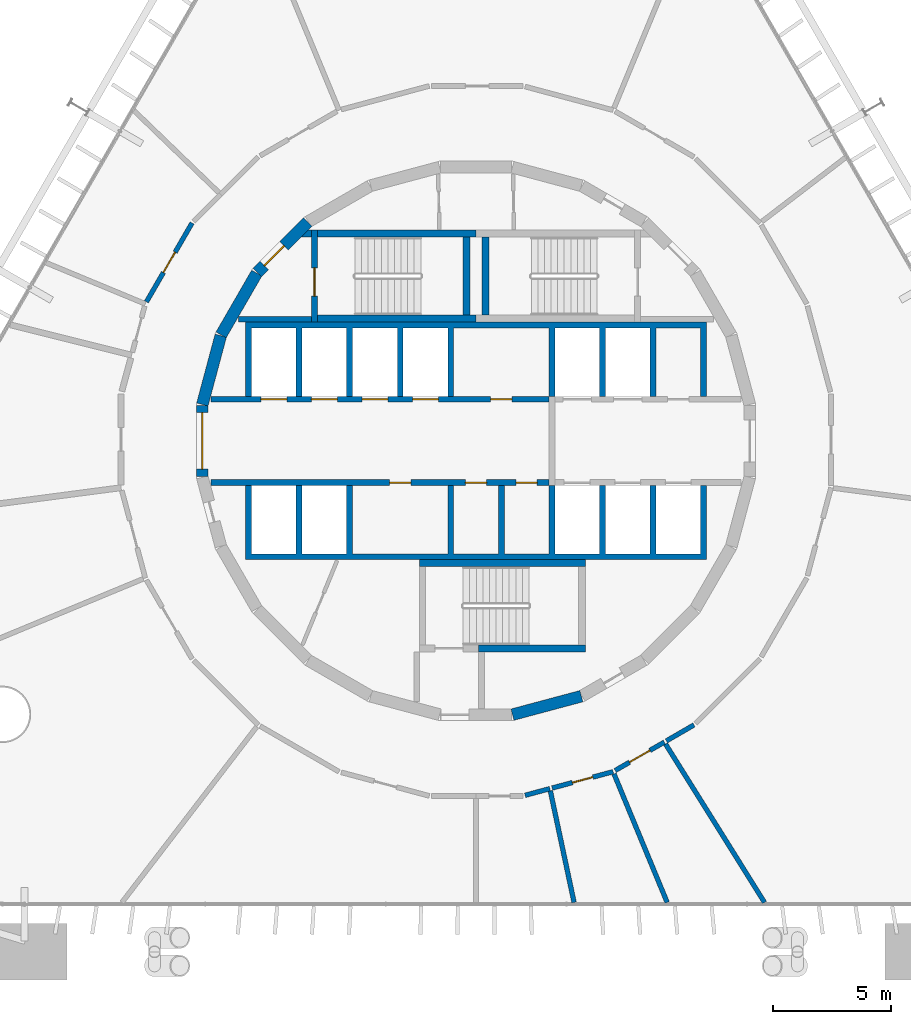
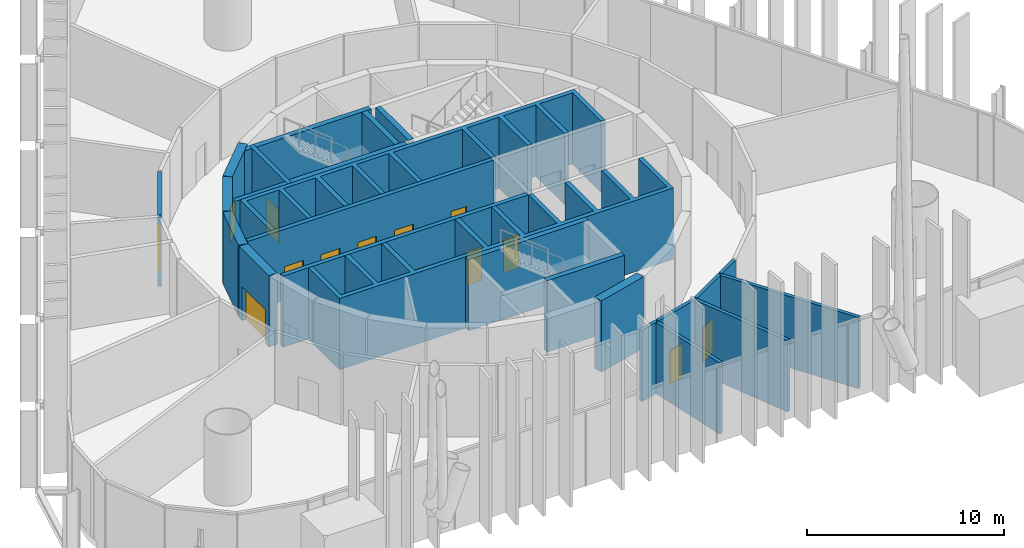
# One storey, part 15 of 18: 26 walls, 14 doors, 14 openings.
"""IFC4 building model written with IfcOpenShell, lengths in metres."""

import ifcopenshell
import ifcopenshell.guid

model = None  # the IFC model being written
_history = None  # IfcOwnerHistory: only IFC2X3 demands one
_inside = {}  # id of a spatial element -> (the spatial element, [elements in it])
_under = {}  # id of a project, library or spatial element -> (it, [spatial elements below it])
_declared = {}  # id of a project -> (the project, [libraries it declares])
_typed = {}  # id of a type object -> (the type object, [elements of that type])
_made_of = {}  # id of a material, layer set ... -> (it, [elements and type objects made of it])


def new_model(schema):
    """Start an empty IFC model of exactly this schema.

    Asked for "IFC4X3", IfcOpenShell would pick the latest addendum, in which some entities
    have other attributes; the version numbers below select the first issue.
    IFC2X3 requires an IfcOwnerHistory on every rooted entity: one is made here for all.
    """
    global model, _history
    if schema == "IFC4X3":
        model = ifcopenshell.file(schema_version=(4, 3, 0, 0))
    else:
        model = ifcopenshell.file(schema=schema)
    _inside.clear()
    _under.clear()
    _declared.clear()
    _typed.clear()
    _made_of.clear()
    _history = None
    if model.schema == "IFC2X3":
        org = make("IfcOrganization", Name="unknown")
        user = make(
            "IfcPersonAndOrganization",
            ThePerson=make("IfcPerson", FamilyName="unknown"),
            TheOrganization=org,
        )
        app = make(
            "IfcApplication",
            ApplicationDeveloper=org,
            Version="unknown",
            ApplicationFullName="unknown",
            ApplicationIdentifier="unknown",
        )
        _history = make(
            "IfcOwnerHistory",
            OwningUser=user,
            OwningApplication=app,
            ChangeAction="ADDED",
            CreationDate=0,
        )
    return model


def make(cls, **values):
    """One entity of the class cls with the attributes given. An attribute that is None is left unset."""
    return model.create_entity(
        cls, **{name: value for name, value in values.items() if value is not None}
    )


def rooted(cls, **values):
    """An entity with a GlobalId (a new one), such as an element, a storey or a relation."""
    return make(cls, GlobalId=ifcopenshell.guid.new(), OwnerHistory=_history, **values)


def si_unit(unit_type, name, prefix=None):
    """IfcSIUnit, for example si_unit("LENGTHUNIT", "METRE", prefix="MILLI")."""
    return make("IfcSIUnit", UnitType=unit_type, Prefix=prefix, Name=name)


def assignment(units):
    """IfcUnitAssignment: the units of a project."""
    return None if units is None else make("IfcUnitAssignment", Units=units)


def point(xyz):
    """IfcCartesianPoint."""
    return None if xyz is None else make("IfcCartesianPoint", Coordinates=xyz)


def direction(xyz):
    """IfcDirection."""
    return None if xyz is None else make("IfcDirection", DirectionRatios=xyz)


def frame(location, z_axis=None, x_axis=None):
    """IfcAxis2Placement3D, a coordinate frame: its origin and axes. An axis left out is left unset."""
    return make(
        "IfcAxis2Placement3D",
        Location=point(location),
        Axis=direction(z_axis),
        RefDirection=direction(x_axis),
    )


def frame_2d(location, x_axis=None):
    """IfcAxis2Placement2D, a coordinate frame in the plane: its origin and x axis."""
    return make(
        "IfcAxis2Placement2D", Location=point(location), RefDirection=direction(x_axis)
    )


def origin():
    """The frame at (0, 0, 0) with its axes left unset."""
    return frame((0.0, 0.0, 0.0))


def place(relative_to, where):
    """IfcLocalPlacement: puts the frame where relative to a parent placement (None: the world)."""
    return make(
        "IfcLocalPlacement", PlacementRelTo=relative_to, RelativePlacement=where
    )


def context(
    kind, dimensions, precision=None, world=None, true_north=None, identifier=None
):
    """IfcGeometricRepresentationContext, for example the 3D "Model" context."""
    return make(
        "IfcGeometricRepresentationContext",
        ContextIdentifier=identifier,
        ContextType=kind,
        CoordinateSpaceDimension=dimensions,
        Precision=precision,
        WorldCoordinateSystem=world,
        TrueNorth=true_north,
    )


def subcontext(parent, identifier, kind, view, scale=None):
    """IfcGeometricRepresentationSubContext, for example "Body" below "Model"."""
    return make(
        "IfcGeometricRepresentationSubContext",
        ContextIdentifier=identifier,
        ContextType=kind,
        ParentContext=parent,
        TargetScale=scale,
        TargetView=view,
    )


def project(units=None, contexts=None):
    """IfcProject with its units and contexts."""
    return rooted(
        "IfcProject",
        Name="project",
        RepresentationContexts=contexts,
        UnitsInContext=assignment(units),
    )


def spatial(cls, under=None, at=None, **own):
    """A site, building, storey or space (cls), placed at a placement, below another one or the project."""
    s = rooted(cls, ObjectPlacement=at, **own)
    if under is not None:
        _under.setdefault(under.id(), (under, []))[1].append(s)
    return s


def polyline(points):
    """IfcPolyline through the points."""
    return make("IfcPolyline", Points=[point(p) for p in points])


def profile(cls, at=None, kind="AREA", **sizes):
    """A parametric profile (cls). Its sizes go by their IFC names, for example OverallWidth=200.0."""
    return make(cls, ProfileType=kind, Position=at, **sizes)


def rectangle(**sizes):
    """IfcRectangleProfileDef."""
    return profile("IfcRectangleProfileDef", **sizes)


def outline(outer, holes=None, kind="AREA"):
    """IfcArbitraryClosedProfileDef: a profile drawn as a closed curve; with holes, ...WithVoids."""
    if holes is None:
        return make("IfcArbitraryClosedProfileDef", ProfileType=kind, OuterCurve=outer)
    return make(
        "IfcArbitraryProfileDefWithVoids",
        ProfileType=kind,
        OuterCurve=outer,
        InnerCurves=holes,
    )


def extrude(swept, where, along, depth):
    """IfcExtrudedAreaSolid: the profile swept, set in the frame where, extruded along a direction by depth."""
    return make(
        "IfcExtrudedAreaSolid",
        SweptArea=swept,
        Position=where,
        ExtrudedDirection=direction(along),
        Depth=depth,
    )


def shape(context_of_items, identifier, shape_type, items):
    """IfcShapeRepresentation: the items that make up one representation, for example the "Body"."""
    return make(
        "IfcShapeRepresentation",
        ContextOfItems=context_of_items,
        RepresentationIdentifier=identifier,
        RepresentationType=shape_type,
        Items=items,
    )


def material(Name=None, Category=None):
    """IfcMaterial."""
    return make("IfcMaterial", Name=Name, Category=Category)


def layer(
    of_material, thickness, ventilated=None, Name=None, Category=None, Priority=None
):
    """IfcMaterialLayer: one layer of a wall or slab, of a material (None: an air gap)."""
    return make(
        "IfcMaterialLayer",
        Material=of_material,
        LayerThickness=thickness,
        IsVentilated=ventilated,
        Name=Name,
        Category=Category,
        Priority=Priority,
    )


def layer_set(layers, Name=None):
    """IfcMaterialLayerSet."""
    return make("IfcMaterialLayerSet", MaterialLayers=layers, LayerSetName=Name)


def made_of(thing, what):
    """Note that an element or type object is made of a material, layer set ...; save() writes the relation."""
    if what is not None:
        _made_of.setdefault(what.id(), (what, []))[1].append(thing)
    return thing


def type_object(cls, material=None, **own):
    """A type object (cls), such as IfcWallType, which elements share."""
    return made_of(rooted(cls, **own), material)


def element(
    cls,
    number,
    at=None,
    inside=None,
    cuts=None,
    type_object=None,
    material=None,
    context=None,
    identifier="Body",
    shape_type=None,
    held_by="IfcProductDefinitionShape",
    body=None,
    shapes=None,
    **own,
):
    """One element of the class cls, such as IfcWall. Its Tag is "e" and its number.

    at: its placement. inside: the storey or other place that contains it. cuts: it is an
    opening in that element (IfcRelVoidsElement). A single representation is given by context,
    identifier, shape_type and body (its items); several are given by shapes. held_by: the class
    of the entity that holds the representations. save() writes the other relations.
    """
    e = rooted(cls, Tag="e%d" % number, ObjectPlacement=at, **own)
    if body is not None:
        shapes = [shape(context, identifier, shape_type, body)]
    if shapes is not None:
        e.Representation = make(held_by, Representations=shapes)
    if inside is not None:
        _inside.setdefault(inside.id(), (inside, []))[1].append(e)
    if cuts is not None:
        rooted(
            "IfcRelVoidsElement", RelatingBuildingElement=cuts, RelatedOpeningElement=e
        )
    if type_object is not None:
        _typed.setdefault(type_object.id(), (type_object, []))[1].append(e)
    return made_of(e, material)


def fill(opening, filler):
    """IfcRelFillsElement: the door or window that sits in an opening."""
    return rooted(
        "IfcRelFillsElement",
        RelatingOpeningElement=opening,
        RelatedBuildingElement=filler,
    )


def aggregate(whole, parts):
    """IfcRelAggregates: a whole, such as a stair, and the parts it consists of."""
    return rooted("IfcRelAggregates", RelatingObject=whole, RelatedObjects=parts)


def save(model, path):
    """Write the relations noted so far, then the file.

    IfcRelAggregates (storeys below a building ...), IfcRelContainedInSpatialStructure (elements
    in a storey), IfcRelDefinesByType, IfcRelAssociatesMaterial and IfcRelDeclares: one each for
    every whole, place, type object, material and project.
    """
    for whole, parts in _under.values():
        aggregate(whole, parts)
    for where, things in _inside.values():
        rooted(
            "IfcRelContainedInSpatialStructure",
            RelatedElements=things,
            RelatingStructure=where,
        )
    for kind, things in _typed.values():
        rooted("IfcRelDefinesByType", RelatedObjects=things, RelatingType=kind)
    for what, things in _made_of.values():
        rooted("IfcRelAssociatesMaterial", RelatedObjects=things, RelatingMaterial=what)
    for by, libraries in _declared.values():
        rooted("IfcRelDeclares", RelatingContext=by, RelatedDefinitions=libraries)
    model.write(path)


model = new_model("IFC4")

# Units and contexts
model_context = context("Model", 3, precision=1e-05, world=origin(), true_north=direction((0.0, 1.0)))
body_context = subcontext(model_context, "Body", "Model", "MODEL_VIEW")
ifc_project = project(units=[si_unit("LENGTHUNIT", "METRE"), si_unit("AREAUNIT", "SQUARE_METRE"), si_unit("VOLUMEUNIT", "CUBIC_METRE"), si_unit("PLANEANGLEUNIT", "RADIAN"), si_unit("MASSUNIT", "GRAM", prefix="KILO")], contexts=[model_context])

# Site, building, storey
site_placement = place(None, origin())
site = spatial("IfcSite", under=ifc_project, at=site_placement, CompositionType="ELEMENT")
building_placement = place(site_placement, origin())
building = spatial("IfcBuilding", under=site, at=building_placement, Name="Spindle Arch Residences", CompositionType="ELEMENT")
storey_placement = place(building_placement, frame((0.0, 0.0, 9.0)))
storey = spatial("IfcBuildingStorey", under=building, at=storey_placement, Name="L01", CompositionType="ELEMENT", Elevation=9.0)

# Wall
ifc_material_1 = material(Name="Concrete C50/60", Category="concrete")
ifc_layer_1 = layer(ifc_material_1, 0.5)
ifc_layer_set_1 = layer_set([ifc_layer_1], Name="Core outline wall 500")
wall_type_1 = type_object("IfcWallType", Name="Core outline wall 500", PredefinedType="SHEAR", material=ifc_layer_set_1)
wall_1_placement = place(storey_placement, frame((1.5498046875, -11.642822265625, 0.0), z_axis=(0.0, 0.0, 1.0), x_axis=(0.965948410781, 0.258734743916, 0.0)))
element("IfcWall", 1, at=wall_1_placement, inside=storey, type_object=wall_type_1, Name="Core outline wall 1", PredefinedType="SHEAR", context=body_context, shape_type="SweptSolid", body=[
    extrude(rectangle(XDim=3.03271484375, YDim=0.5, at=frame_2d((1.516357421875, 0.0))), origin(), (0.0, 0.0, 1.0), 4.419921875),
])

# Wall, opening, door
wall_2_placement = place(storey_placement, frame((-7.163818359375, 9.30810546875, 0.0), z_axis=(0.0, 0.0, 1.0), x_axis=(-0.707106781187, -0.707106781187, 0.0)))
wall_2 = element("IfcWall", 2, at=wall_2_placement, inside=storey, type_object=wall_type_1, Name="Core outline wall 15", PredefinedType="SHEAR", context=body_context, shape_type="SweptSolid", body=[
    extrude(rectangle(XDim=3.032470703125, YDim=0.5, at=frame_2d((1.51611328125, 0.0))), origin(), (0.0, 0.0, 1.0), 4.419921875),
])
opening_1_placement = place(wall_2_placement, frame((1.416259765625, 0.0, 0.0)))
opening_1 = element("IfcOpeningElement", 3, at=opening_1_placement, cuts=wall_2, Name="Opening L01-AD02", PredefinedType="OPENING", context=body_context, shape_type="SweptSolid", body=[
    extrude(rectangle(XDim=1.199951171875, YDim=2.10009765625, at=frame_2d((0.60009765625, 1.050048828125))), frame((0.0, 0.260009765625, 0.0), z_axis=(0.0, -1.0, 0.0), x_axis=(1.0, 0.0, 0.0)), (0.0, 0.0, 1.0), 0.52001953125),
])
ifc_material_2 = material(Name="Steel, fire-resisting door", Category="steel")
door_type_1 = type_object("IfcDoorType", Name="Stair airlock door 1200x2100", OperationType="SINGLE_SWING_LEFT", PredefinedType="DOOR", material=ifc_material_2)
door_1_placement = place(opening_1_placement, origin())
door_1 = element("IfcDoor", 4, at=door_1_placement, inside=storey, type_object=door_type_1, Name="Stair airlock door L01-AD02", OperationType="SINGLE_SWING_RIGHT", OverallHeight=2.10009765625, OverallWidth=1.199951171875, PredefinedType="DOOR", context=body_context, shape_type="SweptSolid", body=[
    extrude(rectangle(XDim=1.199951171875, YDim=2.10009765625, at=frame_2d((0.60009765625, 1.050048828125))), frame((0.0, 0.02490234375, 0.0), z_axis=(0.0, -1.0, 0.0), x_axis=(1.0, 0.0, 0.0)), (0.0, 0.0, 1.0), 0.050048828125),
])
fill(opening_1, door_1)

# Walls
for number, where, z_axis, x_axis, name in (
    (5, (-9.32861328125, 7.13671875, 0.0), (0.0, 0.0, 1.0), (-0.500087131594, -0.865975092491, 0.0), "Core outline wall 16"),
    (6, (-10.858154296875, 4.479248046875, 0.0), (0.0, 0.0, 1.0), (-0.258734743916, -0.965948410781, 0.0), "Core outline wall 17"),
):
    element("IfcWall", number, at=place(storey_placement, frame(where, z_axis=z_axis, x_axis=x_axis)), inside=storey, type_object=wall_type_1, Name=name, PredefinedType="SHEAR", context=body_context, shape_type="SweptSolid", body=[
        extrude(rectangle(XDim=3.03271484375, YDim=0.5, at=frame_2d((1.516357421875, 0.0))), origin(), (0.0, 0.0, 1.0), 4.419921875),
    ])

# Wall, opening, door
wall_3_placement = place(storey_placement, frame((-11.647216796875, 1.516357421875, 0.0), z_axis=(0.0, 0.0, 1.0), x_axis=(0.0, -1.0, 0.0)))
wall_3 = element("IfcWall", 7, at=wall_3_placement, inside=storey, type_object=wall_type_1, Name="Core outline wall 18", PredefinedType="SHEAR", context=body_context, shape_type="SweptSolid", body=[
    extrude(rectangle(XDim=3.03271484375, YDim=0.5, at=frame_2d((1.516357421875, 0.0))), origin(), (0.0, 0.0, 1.0), 4.419921875),
])
opening_2_placement = place(wall_3_placement, frame((0.31640625, 0.0, 0.0)))
opening_2 = element("IfcOpeningElement", 8, at=opening_2_placement, cuts=wall_3, Name="Opening L01-LE01", PredefinedType="OPENING", context=body_context, shape_type="SweptSolid", body=[
    extrude(rectangle(XDim=2.39990234375, YDim=2.10009765625, at=frame_2d((1.199951171875, 1.050048828125))), frame((0.0, 0.260009765625, 0.0), z_axis=(0.0, -1.0, 0.0), x_axis=(1.0, 0.0, 0.0)), (0.0, 0.0, 1.0), 0.52001953125),
])
ifc_material_3 = material(Name="Steel, fire-resisting door", Category="steel")
door_type_2 = type_object("IfcDoorType", Name="Lift lobby entrance door 2400x2100", OperationType="DOUBLE_DOOR_SINGLE_SWING", PredefinedType="DOOR", material=ifc_material_3)
door_2_placement = place(opening_2_placement, origin())
door_2 = element("IfcDoor", 9, at=door_2_placement, inside=storey, type_object=door_type_2, Name="Lift lobby entrance door L01-LE01", OperationType="DOUBLE_DOOR_SINGLE_SWING", OverallHeight=2.10009765625, OverallWidth=2.39990234375, PredefinedType="DOOR", context=body_context, shape_type="SweptSolid", body=[
    extrude(rectangle(XDim=2.39990234375, YDim=2.10009765625, at=frame_2d((1.199951171875, 1.050048828125))), frame((0.0, 0.02490234375, 0.0), z_axis=(0.0, -1.0, 0.0), x_axis=(1.0, 0.0, 0.0)), (0.0, 0.0, 1.0), 0.050048828125),
])
fill(opening_2, door_2)

# Wall, openings, doors
ifc_material_4 = material(Name="Concrete C50/60", Category="concrete")
ifc_layer_2 = layer(ifc_material_4, 0.25)
ifc_layer_set_2 = layer_set([ifc_layer_2], Name="Lift shaft wall 250")
wall_type_2 = type_object("IfcWallType", Name="Lift shaft wall 250", PredefinedType="SHEAR", material=ifc_layer_set_2)
wall_4_placement = place(storey_placement, frame((-11.280029296875, 1.77490234375, 0.0), z_axis=(0.0, 0.0, 1.0), x_axis=(1.0, 0.0, 0.0)))
wall_4 = element("IfcWall", 10, at=wall_4_placement, inside=storey, type_object=wall_type_2, Name="Lift shaft front wall NW", PredefinedType="SHEAR", context=body_context, shape_type="SweptSolid", body=[
    extrude(rectangle(XDim=14.380126953125, YDim=0.25, at=frame_2d((7.18994140625, 0.0))), origin(), (0.0, 0.0, 1.0), 4.419921875),
])
opening_3_placement = place(wall_4_placement, frame((2.1298828125, 0.0, 0.0)))
opening_3 = element("IfcOpeningElement", 11, at=opening_3_placement, cuts=wall_4, Name="Opening L01-LD01", PredefinedType="OPENING", context=body_context, shape_type="SweptSolid", body=[
    extrude(rectangle(XDim=1.10009765625, YDim=2.10009765625, at=frame_2d((0.550048828125, 1.050048828125))), frame((0.0, 0.135009765625, 0.0), z_axis=(0.0, -1.0, 0.0), x_axis=(1.0, 0.0, 0.0)), (0.0, 0.0, 1.0), 0.27001953125),
])
opening_4_placement = place(wall_4_placement, frame((4.280029296875, 0.0, 0.0)))
opening_4 = element("IfcOpeningElement", 12, at=opening_4_placement, cuts=wall_4, Name="Opening L01-LD02", PredefinedType="OPENING", context=body_context, shape_type="SweptSolid", body=[
    extrude(rectangle(XDim=1.10009765625, YDim=2.10009765625, at=frame_2d((0.550048828125, 1.050048828125))), frame((0.0, 0.135009765625, 0.0), z_axis=(0.0, -1.0, 0.0), x_axis=(1.0, 0.0, 0.0)), (0.0, 0.0, 1.0), 0.27001953125),
])
opening_5_placement = place(wall_4_placement, frame((6.429931640625, 0.0, 0.0)))
opening_5 = element("IfcOpeningElement", 13, at=opening_5_placement, cuts=wall_4, Name="Opening L01-LD03", PredefinedType="OPENING", context=body_context, shape_type="SweptSolid", body=[
    extrude(rectangle(XDim=1.10009765625, YDim=2.10009765625, at=frame_2d((0.550048828125, 1.050048828125))), frame((0.0, 0.135009765625, 0.0), z_axis=(0.0, -1.0, 0.0), x_axis=(1.0, 0.0, 0.0)), (0.0, 0.0, 1.0), 0.27001953125),
])
opening_6_placement = place(wall_4_placement, frame((8.580078125, 0.0, 0.0)))
opening_6 = element("IfcOpeningElement", 14, at=opening_6_placement, cuts=wall_4, Name="Opening L01-LD04", PredefinedType="OPENING", context=body_context, shape_type="SweptSolid", body=[
    extrude(rectangle(XDim=1.10009765625, YDim=2.10009765625, at=frame_2d((0.550048828125, 1.050048828125))), frame((0.0, 0.135009765625, 0.0), z_axis=(0.0, -1.0, 0.0), x_axis=(1.0, 0.0, 0.0)), (0.0, 0.0, 1.0), 0.27001953125),
])
opening_7_placement = place(wall_4_placement, frame((11.905029296875, 0.0, 0.0)))
opening_7 = element("IfcOpeningElement", 15, at=opening_7_placement, cuts=wall_4, Name="Opening L01-WD01", PredefinedType="OPENING", context=body_context, shape_type="SweptSolid", body=[
    extrude(rectangle(XDim=0.89990234375, YDim=2.10009765625, at=frame_2d((0.449951171875, 1.050048828125))), frame((0.0, 0.135009765625, 0.0), z_axis=(0.0, -1.0, 0.0), x_axis=(1.0, 0.0, 0.0)), (0.0, 0.0, 1.0), 0.27001953125),
])
ifc_material_5 = material(Name="Steel, fire-resisting landing door", Category="steel")
door_type_3 = type_object("IfcDoorType", Name="Lift landing door 1100x2100", OperationType="DOUBLE_DOOR_SLIDING", PredefinedType="DOOR", material=ifc_material_5)
door_3_placement = place(opening_3_placement, origin())
door_3 = element("IfcDoor", 16, at=door_3_placement, inside=storey, type_object=door_type_3, Name="Lift landing door L01-LD01", OperationType="DOUBLE_DOOR_SLIDING", OverallHeight=2.10009765625, OverallWidth=1.10009765625, PredefinedType="DOOR", context=body_context, shape_type="SweptSolid", body=[
    extrude(rectangle(XDim=1.10009765625, YDim=2.10009765625, at=frame_2d((0.550048828125, 1.050048828125))), frame((0.0, 0.02490234375, 0.0), z_axis=(0.0, -1.0, 0.0), x_axis=(1.0, 0.0, 0.0)), (0.0, 0.0, 1.0), 0.050048828125),
])
fill(opening_3, door_3)
door_4_placement = place(opening_4_placement, origin())
door_4 = element("IfcDoor", 17, at=door_4_placement, inside=storey, type_object=door_type_3, Name="Lift landing door L01-LD02", OperationType="DOUBLE_DOOR_SLIDING", OverallHeight=2.10009765625, OverallWidth=1.10009765625, PredefinedType="DOOR", context=body_context, shape_type="SweptSolid", body=[
    extrude(rectangle(XDim=1.10009765625, YDim=2.10009765625, at=frame_2d((0.550048828125, 1.050048828125))), frame((0.0, 0.02490234375, 0.0), z_axis=(0.0, -1.0, 0.0), x_axis=(1.0, 0.0, 0.0)), (0.0, 0.0, 1.0), 0.050048828125),
])
fill(opening_4, door_4)
door_5_placement = place(opening_5_placement, origin())
door_5 = element("IfcDoor", 18, at=door_5_placement, inside=storey, type_object=door_type_3, Name="Lift landing door L01-LD03", OperationType="DOUBLE_DOOR_SLIDING", OverallHeight=2.10009765625, OverallWidth=1.10009765625, PredefinedType="DOOR", context=body_context, shape_type="SweptSolid", body=[
    extrude(rectangle(XDim=1.10009765625, YDim=2.10009765625, at=frame_2d((0.550048828125, 1.050048828125))), frame((0.0, 0.02490234375, 0.0), z_axis=(0.0, -1.0, 0.0), x_axis=(1.0, 0.0, 0.0)), (0.0, 0.0, 1.0), 0.050048828125),
])
fill(opening_5, door_5)
door_6_placement = place(opening_6_placement, origin())
door_6 = element("IfcDoor", 19, at=door_6_placement, inside=storey, type_object=door_type_3, Name="Lift landing door L01-LD04", OperationType="DOUBLE_DOOR_SLIDING", OverallHeight=2.10009765625, OverallWidth=1.10009765625, PredefinedType="DOOR", context=body_context, shape_type="SweptSolid", body=[
    extrude(rectangle(XDim=1.10009765625, YDim=2.10009765625, at=frame_2d((0.550048828125, 1.050048828125))), frame((0.0, 0.02490234375, 0.0), z_axis=(0.0, -1.0, 0.0), x_axis=(1.0, 0.0, 0.0)), (0.0, 0.0, 1.0), 0.050048828125),
])
fill(opening_6, door_6)
ifc_material_6 = material(Name="Steel, fire-resisting door", Category="steel")
door_type_4 = type_object("IfcDoorType", Name="Service room door 900x2100", OperationType="SINGLE_SWING_LEFT", PredefinedType="DOOR", material=ifc_material_6)
door_7_placement = place(opening_7_placement, origin())
door_7 = element("IfcDoor", 20, at=door_7_placement, inside=storey, type_object=door_type_4, Name="Service room door L01-WD01", OperationType="SINGLE_SWING_RIGHT", OverallHeight=2.10009765625, OverallWidth=0.89990234375, PredefinedType="DOOR", context=body_context, shape_type="SweptSolid", body=[
    extrude(rectangle(XDim=0.89990234375, YDim=2.10009765625, at=frame_2d((0.449951171875, 1.050048828125))), frame((0.0, 0.02490234375, 0.0), z_axis=(0.0, -1.0, 0.0), x_axis=(1.0, 0.0, 0.0)), (0.0, 0.0, 1.0), 0.050048828125),
])
fill(opening_7, door_7)

wall_5_placement = place(storey_placement, frame((-11.280029296875, -1.77490234375, 0.0), z_axis=(0.0, 0.0, 1.0), x_axis=(1.0, 0.0, 0.0)))
wall_5 = element("IfcWall", 21, at=wall_5_placement, inside=storey, type_object=wall_type_2, Name="Lift shaft front wall SW", PredefinedType="SHEAR", context=body_context, shape_type="SweptSolid", body=[
    extrude(rectangle(XDim=14.380126953125, YDim=0.25, at=frame_2d((7.18994140625, 0.0))), origin(), (0.0, 0.0, 1.0), 4.419921875),
])
opening_8_placement = place(wall_5_placement, frame((7.60498046875, 0.0, 0.0)))
opening_8 = element("IfcOpeningElement", 22, at=opening_8_placement, cuts=wall_5, Name="Opening L01-WD03", PredefinedType="OPENING", context=body_context, shape_type="SweptSolid", body=[
    extrude(rectangle(XDim=0.89990234375, YDim=2.10009765625, at=frame_2d((0.449951171875, 1.050048828125))), frame((0.0, 0.135009765625, 0.0), z_axis=(0.0, -1.0, 0.0), x_axis=(1.0, 0.0, 0.0)), (0.0, 0.0, 1.0), 0.27001953125),
])
opening_9_placement = place(wall_5_placement, frame((10.830078125, 0.0, 0.0)))
opening_9 = element("IfcOpeningElement", 23, at=opening_9_placement, cuts=wall_5, Name="Opening L01-WD04", PredefinedType="OPENING", context=body_context, shape_type="SweptSolid", body=[
    extrude(rectangle(XDim=0.89990234375, YDim=2.10009765625, at=frame_2d((0.449951171875, 1.050048828125))), frame((0.0, 0.135009765625, 0.0), z_axis=(0.0, -1.0, 0.0), x_axis=(1.0, 0.0, 0.0)), (0.0, 0.0, 1.0), 0.27001953125),
])
opening_10_placement = place(wall_5_placement, frame((12.97998046875, 0.0, 0.0)))
opening_10 = element("IfcOpeningElement", 24, at=opening_10_placement, cuts=wall_5, Name="Opening L01-WD05", PredefinedType="OPENING", context=body_context, shape_type="SweptSolid", body=[
    extrude(rectangle(XDim=0.89990234375, YDim=2.10009765625, at=frame_2d((0.449951171875, 1.050048828125))), frame((0.0, 0.135009765625, 0.0), z_axis=(0.0, -1.0, 0.0), x_axis=(1.0, 0.0, 0.0)), (0.0, 0.0, 1.0), 0.27001953125),
])
door_8_placement = place(opening_8_placement, origin())
door_8 = element("IfcDoor", 25, at=door_8_placement, inside=storey, type_object=door_type_4, Name="Service room door L01-WD03", OperationType="SINGLE_SWING_RIGHT", OverallHeight=2.10009765625, OverallWidth=0.89990234375, PredefinedType="DOOR", context=body_context, shape_type="SweptSolid", body=[
    extrude(rectangle(XDim=0.89990234375, YDim=2.10009765625, at=frame_2d((0.449951171875, 1.050048828125))), frame((0.0, 0.02490234375, 0.0), z_axis=(0.0, -1.0, 0.0), x_axis=(1.0, 0.0, 0.0)), (0.0, 0.0, 1.0), 0.050048828125),
])
fill(opening_8, door_8)
door_9_placement = place(opening_9_placement, origin())
door_9 = element("IfcDoor", 26, at=door_9_placement, inside=storey, type_object=door_type_4, Name="Service room door L01-WD04", OperationType="SINGLE_SWING_LEFT", OverallHeight=2.10009765625, OverallWidth=0.89990234375, PredefinedType="DOOR", context=body_context, shape_type="SweptSolid", body=[
    extrude(rectangle(XDim=0.89990234375, YDim=2.10009765625, at=frame_2d((0.449951171875, 1.050048828125))), frame((0.0, 0.02490234375, 0.0), z_axis=(0.0, -1.0, 0.0), x_axis=(1.0, 0.0, 0.0)), (0.0, 0.0, 1.0), 0.050048828125),
])
fill(opening_9, door_9)
door_10_placement = place(opening_10_placement, origin())
door_10 = element("IfcDoor", 27, at=door_10_placement, inside=storey, type_object=door_type_4, Name="Service room door L01-WD05", OperationType="SINGLE_SWING_RIGHT", OverallHeight=2.10009765625, OverallWidth=0.89990234375, PredefinedType="DOOR", context=body_context, shape_type="SweptSolid", body=[
    extrude(rectangle(XDim=0.89990234375, YDim=2.10009765625, at=frame_2d((0.449951171875, 1.050048828125))), frame((0.0, 0.02490234375, 0.0), z_axis=(0.0, -1.0, 0.0), x_axis=(1.0, 0.0, 0.0)), (0.0, 0.0, 1.0), 0.050048828125),
])
fill(opening_10, door_10)

# Walls
ifc_material_7 = material(Name="Concrete C50/60", Category="concrete")
wall_type_3 = type_object("IfcWallType", Name="Lift shaft wall profile", PredefinedType="SHEAR", material=ifc_material_7)
wall_6_placement = place(storey_placement, origin())
element("IfcWall", 28, at=wall_6_placement, inside=storey, type_object=wall_type_3, Name="Lift shaft walls N", PredefinedType="SHEAR", context=body_context, shape_type="SweptSolid", body=[
    extrude(outline(polyline([(-9.550048828125, 4.800048828125), (-7.64990234375, 4.800048828125), (-7.64990234375, 1.89990234375), (-7.39990234375, 1.89990234375), (-7.39990234375, 4.800048828125), (-5.5, 4.800048828125), (-5.5, 1.89990234375), (-5.25, 1.89990234375), (-5.25, 4.800048828125), (-3.35009765625, 4.800048828125), (-3.35009765625, 1.89990234375), (-3.10009765625, 1.89990234375), (-3.10009765625, 4.800048828125), (-1.199951171875, 4.800048828125), (-1.199951171875, 1.89990234375), (-0.949951171875, 1.89990234375), (-0.949951171875, 4.800048828125), (3.10009765625, 4.800048828125), (3.10009765625, 1.89990234375), (3.35009765625, 1.89990234375), (3.35009765625, 4.800048828125), (5.25, 4.800048828125), (5.25, 1.89990234375), (5.5, 1.89990234375), (5.5, 4.800048828125), (7.39990234375, 4.800048828125), (7.39990234375, 1.89990234375), (7.64990234375, 1.89990234375), (7.64990234375, 4.800048828125), (9.550048828125, 4.800048828125), (9.550048828125, 1.89990234375), (9.800048828125, 1.89990234375), (9.800048828125, 4.800048828125), (9.800048828125, 5.050048828125), (-9.800048828125, 5.050048828125), (-9.800048828125, 4.800048828125), (-9.800048828125, 1.89990234375), (-9.550048828125, 1.89990234375), (-9.550048828125, 4.800048828125)])), origin(), (0.0, 0.0, 1.0), 4.419921875),
])
wall_7_placement = place(storey_placement, origin())
element("IfcWall", 29, at=wall_7_placement, inside=storey, type_object=wall_type_3, Name="Lift shaft walls S", PredefinedType="SHEAR", context=body_context, shape_type="SweptSolid", body=[
    extrude(outline(polyline([(9.800048828125, -5.050048828125), (9.800048828125, -4.800048828125), (9.800048828125, -1.89990234375), (9.550048828125, -1.89990234375), (9.550048828125, -4.800048828125), (7.64990234375, -4.800048828125), (7.64990234375, -1.89990234375), (7.39990234375, -1.89990234375), (7.39990234375, -4.800048828125), (5.5, -4.800048828125), (5.5, -1.89990234375), (5.25, -1.89990234375), (5.25, -4.800048828125), (3.35009765625, -4.800048828125), (3.35009765625, -1.89990234375), (3.10009765625, -1.89990234375), (3.10009765625, -4.800048828125), (1.199951171875, -4.800048828125), (1.199951171875, -1.89990234375), (0.949951171875, -1.89990234375), (0.949951171875, -4.800048828125), (-0.949951171875, -4.800048828125), (-0.949951171875, -1.89990234375), (-1.199951171875, -1.89990234375), (-1.199951171875, -4.800048828125), (-5.25, -4.800048828125), (-5.25, -1.89990234375), (-5.5, -1.89990234375), (-5.5, -4.800048828125), (-7.39990234375, -4.800048828125), (-7.39990234375, -1.89990234375), (-7.64990234375, -1.89990234375), (-7.64990234375, -4.800048828125), (-9.550048828125, -4.800048828125), (-9.550048828125, -1.89990234375), (-9.800048828125, -1.89990234375), (-9.800048828125, -4.800048828125), (-9.800048828125, -5.050048828125), (9.800048828125, -5.050048828125)])), origin(), (0.0, 0.0, 1.0), 4.419921875),
])

# Wall, opening, door
ifc_material_8 = material(Name="Gypsum board partition on steel studs", Category="steel")
ifc_layer_3 = layer(ifc_material_8, 0.199951171875)
ifc_layer_set_3 = layer_set([ifc_layer_3], Name="Partition EI 60 200 amenity")
wall_type_4 = type_object("IfcWallType", Name="Partition EI 60 200 amenity", PredefinedType="PARTITIONING", material=ifc_layer_set_3)
wall_8_placement = place(storey_placement, frame((-12.080078125, 9.27001953125, 0.0), z_axis=(0.0, 0.0, 1.0), x_axis=(-0.500733182901, -0.865601686425, 0.0)))
wall_8 = element("IfcWall", 30, at=wall_8_placement, inside=storey, type_object=wall_type_4, Name="L01-W011", PredefinedType="PARTITIONING", context=body_context, shape_type="SweptSolid", body=[
    extrude(rectangle(XDim=3.874267578125, YDim=0.199951171875, at=frame_2d((1.93701171875, 0.0))), origin(), (0.0, 0.0, 1.0), 4.419921875),
])
opening_11_placement = place(wall_8_placement, frame((1.43701171875, 0.0, 0.0)))
opening_11 = element("IfcOpeningElement", 31, at=opening_11_placement, cuts=wall_8, Name="Opening L01-D11", PredefinedType="OPENING", context=body_context, shape_type="SweptSolid", body=[
    extrude(rectangle(XDim=1.0, YDim=2.10009765625, at=frame_2d((0.5, 1.050048828125))), frame((0.0, 0.10986328125, 0.0), z_axis=(0.0, -1.0, 0.0), x_axis=(1.0, 0.0, 0.0)), (0.0, 0.0, 1.0), 0.219970703125),
])
ifc_material_9 = material(Name="Timber door leaf", Category="wood")
door_type_5 = type_object("IfcDoorType", Name="Door 1000x2100 EI 30", OperationType="SINGLE_SWING_LEFT", PredefinedType="DOOR", material=ifc_material_9)
door_11_placement = place(opening_11_placement, origin())
door_11 = element("IfcDoor", 32, at=door_11_placement, inside=storey, type_object=door_type_5, Name="L01-D11", OperationType="SINGLE_SWING_LEFT", OverallHeight=2.10009765625, OverallWidth=1.0, PredefinedType="DOOR", context=body_context, shape_type="SweptSolid", body=[
    extrude(rectangle(XDim=1.0, YDim=2.10009765625, at=frame_2d((0.5, 1.050048828125))), frame((0.0, 0.02490234375, 0.0), z_axis=(0.0, -1.0, 0.0), x_axis=(1.0, 0.0, 0.0)), (0.0, 0.0, 1.0), 0.050048828125),
])
fill(opening_11, door_11)

# Walls
wall_9_placement = place(storey_placement, frame((2.086669921875, -15.073974609375, 0.0), z_axis=(0.0, 0.0, 1.0), x_axis=(0.965529267024, 0.260294514963, 0.0)))
element("IfcWall", 33, at=wall_9_placement, inside=storey, type_object=wall_type_4, Name="L01-W024", PredefinedType="PARTITIONING", context=body_context, shape_type="SweptSolid", body=[
    extrude(rectangle(XDim=1.0908203125, YDim=0.199951171875, at=frame_2d((0.54541015625, 0.0))), origin(), (0.0, 0.0, 1.0), 4.419921875),
])
wall_10_placement = place(storey_placement, frame((3.160888671875, -14.8876953125, 0.0), z_axis=(0.0, 0.0, 1.0), x_axis=(0.208118919353, -0.978103530005, 0.0)))
element("IfcWall", 34, at=wall_10_placement, inside=storey, type_object=wall_type_4, Name="L01-W026", PredefinedType="PARTITIONING", context=body_context, shape_type="SweptSolid", body=[
    extrude(rectangle(XDim=4.848388671875, YDim=0.199951171875, at=frame_2d((2.42431640625, 0.0))), origin(), (0.0, 0.0, 1.0), 4.419921875),
])

# Wall, opening, door
wall_11_placement = place(storey_placement, frame((3.236572265625, -14.76416015625, 0.0), z_axis=(0.0, 0.0, 1.0), x_axis=(0.966003629213, 0.25852850587, 0.0)))
wall_11 = element("IfcWall", 35, at=wall_11_placement, inside=storey, type_object=wall_type_4, Name="L01-W027", PredefinedType="PARTITIONING", context=body_context, shape_type="SweptSolid", body=[
    extrude(rectangle(XDim=2.684814453125, YDim=0.199951171875, at=frame_2d((1.34228515625, 0.0))), origin(), (0.0, 0.0, 1.0), 4.419921875),
])
opening_12_placement = place(wall_11_placement, frame((0.892333984375, 0.0, 0.0)))
opening_12 = element("IfcOpeningElement", 36, at=opening_12_placement, cuts=wall_11, Name="Opening L01-D02", PredefinedType="OPENING", context=body_context, shape_type="SweptSolid", body=[
    extrude(rectangle(XDim=0.89990234375, YDim=2.10009765625, at=frame_2d((0.449951171875, 1.050048828125))), frame((0.0, 0.10986328125, 0.0), z_axis=(0.0, -1.0, 0.0), x_axis=(1.0, 0.0, 0.0)), (0.0, 0.0, 1.0), 0.219970703125),
])
ifc_material_10 = material(Name="Timber door leaf", Category="wood")
door_type_6 = type_object("IfcDoorType", Name="Door 900x2100 EI 30", OperationType="SINGLE_SWING_LEFT", PredefinedType="DOOR", material=ifc_material_10)
door_12_placement = place(opening_12_placement, origin())
door_12 = element("IfcDoor", 37, at=door_12_placement, inside=storey, type_object=door_type_6, Name="L01-D02", OperationType="SINGLE_SWING_LEFT", OverallHeight=2.10009765625, OverallWidth=0.89990234375, PredefinedType="DOOR", context=body_context, shape_type="SweptSolid", body=[
    extrude(rectangle(XDim=0.89990234375, YDim=2.10009765625, at=frame_2d((0.449951171875, 1.050048828125))), frame((0.0, 0.02490234375, 0.0), z_axis=(0.0, -1.0, 0.0), x_axis=(1.0, 0.0, 0.0)), (0.0, 0.0, 1.0), 0.050048828125),
])
fill(opening_12, door_12)

wall_12_placement = place(storey_placement, frame((5.91650390625, -14.02001953125, 0.0), z_axis=(0.0, 0.0, 1.0), x_axis=(0.865797030805, 0.500395345151, 0.0)))
wall_12 = element("IfcWall", 38, at=wall_12_placement, inside=storey, type_object=wall_type_4, Name="L01-W028", PredefinedType="PARTITIONING", context=body_context, shape_type="SweptSolid", body=[
    extrude(rectangle(XDim=2.41796875, YDim=0.199951171875, at=frame_2d((1.208984375, 0.0))), origin(), (0.0, 0.0, 1.0), 4.419921875),
])
opening_13_placement = place(wall_12_placement, frame((0.708984375, 0.0, 0.0)))
opening_13 = element("IfcOpeningElement", 39, at=opening_13_placement, cuts=wall_12, Name="Opening L01-D04", PredefinedType="OPENING", context=body_context, shape_type="SweptSolid", body=[
    extrude(rectangle(XDim=1.0, YDim=2.10009765625, at=frame_2d((0.5, 1.050048828125))), frame((0.0, 0.10986328125, 0.0), z_axis=(0.0, -1.0, 0.0), x_axis=(1.0, 0.0, 0.0)), (0.0, 0.0, 1.0), 0.219970703125),
])
door_13_placement = place(opening_13_placement, origin())
door_13 = element("IfcDoor", 40, at=door_13_placement, inside=storey, type_object=door_type_5, Name="L01-D04", OperationType="SINGLE_SWING_LEFT", OverallHeight=2.10009765625, OverallWidth=1.0, PredefinedType="DOOR", context=body_context, shape_type="SweptSolid", body=[
    extrude(rectangle(XDim=1.0, YDim=2.10009765625, at=frame_2d((0.5, 1.050048828125))), frame((0.0, 0.02490234375, 0.0), z_axis=(0.0, -1.0, 0.0), x_axis=(1.0, 0.0, 0.0)), (0.0, 0.0, 1.0), 0.050048828125),
])
fill(opening_13, door_13)

# Walls
wall_13_placement = place(storey_placement, frame((5.8681640625, -14.162353515625, 0.0), z_axis=(0.0, 0.0, 1.0), x_axis=(0.382249745869, -0.924059052108, 0.0)))
element("IfcWall", 41, at=wall_13_placement, inside=storey, type_object=wall_type_4, Name="L01-W029", PredefinedType="PARTITIONING", context=body_context, shape_type="SweptSolid", body=[
    extrude(rectangle(XDim=5.916748046875, YDim=0.199951171875, at=frame_2d((2.95849609375, 0.0))), origin(), (0.0, 0.0, 1.0), 4.419921875),
])
wall_14_placement = place(storey_placement, frame((8.096435546875, -12.759765625, 0.0), z_axis=(0.0, 0.0, 1.0), x_axis=(0.865348217229, 0.501171091484, 0.0)))
element("IfcWall", 42, at=wall_14_placement, inside=storey, type_object=wall_type_4, Name="L01-W031", PredefinedType="PARTITIONING", context=body_context, shape_type="SweptSolid", body=[
    extrude(rectangle(XDim=1.356201171875, YDim=0.199951171875, at=frame_2d((0.67822265625, 0.0))), origin(), (0.0, 0.0, 1.0), 4.419921875),
])
wall_15_placement = place(storey_placement, frame((8.06298828125, -12.894775390625, 0.0), z_axis=(0.0, 0.0, 1.0), x_axis=(0.529780605496, -0.848134723992, 0.0)))
element("IfcWall", 43, at=wall_15_placement, inside=storey, type_object=wall_type_4, Name="L01-W032", PredefinedType="PARTITIONING", context=body_context, shape_type="SweptSolid", body=[
    extrude(rectangle(XDim=7.941162109375, YDim=0.199951171875, at=frame_2d((3.970703125, 0.0))), origin(), (0.0, 0.0, 1.0), 4.419921875),
])
ifc_material_11 = material(Name="Concrete C40/50", Category="concrete")
ifc_layer_4 = layer(ifc_material_11, 0.25)
ifc_layer_set_4 = layer_set([ifc_layer_4], Name="Stair airlock wall 250")
wall_type_5 = type_object("IfcWallType", Name="Stair airlock wall 250", PredefinedType="SHEAR", material=ifc_layer_set_4)
wall_16_placement = place(storey_placement, frame((-7.0, 5.175048828125, 0.0), z_axis=(0.0, 0.0, 1.0), x_axis=(-1.0, 0.0, 0.0)))
element("IfcWall", 44, at=wall_16_placement, inside=storey, type_object=wall_type_5, Name="Stair ST-2 airlock wall S", PredefinedType="SHEAR", context=body_context, shape_type="SweptSolid", body=[
    extrude(rectangle(XDim=3.10009765625, YDim=0.25, at=frame_2d((1.550048828125, 0.0))), origin(), (0.0, 0.0, 1.0), 4.419921875),
])
ifc_material_12 = material(Name="Concrete C40/50", Category="concrete")
wall_type_6 = type_object("IfcWallType", Name="Stair airlock wall profile", PredefinedType="SHEAR", material=ifc_material_12)
wall_17_placement = place(storey_placement, origin())
element("IfcWall", 45, at=wall_17_placement, inside=storey, type_object=wall_type_6, Name="Stair ST-2 airlock wall N", PredefinedType="SHEAR", context=body_context, shape_type="SweptSolid", body=[
    extrude(outline(polyline([(-7.148193359375, 8.969970703125), (-7.0, 8.969970703125), (-7.0, 8.669921875), (-7.4482421875, 8.669921875), (-7.148193359375, 8.969970703125)])), origin(), (0.0, 0.0, 1.0), 4.419921875),
])

# Wall, opening, door
ifc_material_13 = material(Name="Concrete C50/60", Category="concrete")
ifc_layer_5 = layer(ifc_material_13, 0.25)
ifc_layer_set_5 = layer_set([ifc_layer_5], Name="Stair enclosure wall 250")
wall_type_7 = type_object("IfcWallType", Name="Stair enclosure wall 250", PredefinedType="SHEAR", material=ifc_layer_set_5)
wall_18_placement = place(storey_placement, frame((-6.875, 8.969970703125, 0.0), z_axis=(0.0, 0.0, 1.0), x_axis=(0.0, -1.0, 0.0)))
wall_18 = element("IfcWall", 46, at=wall_18_placement, inside=storey, type_object=wall_type_7, Name="Stair ST-2 door wall", PredefinedType="SHEAR", context=body_context, shape_type="SweptSolid", body=[
    extrude(rectangle(XDim=3.919921875, YDim=0.25, at=frame_2d((1.9599609375, 0.0))), origin(), (0.0, 0.0, 1.0), 4.419921875),
])
opening_14_placement = place(wall_18_placement, frame((1.610107421875, 0.0, 0.0)))
opening_14 = element("IfcOpeningElement", 47, at=opening_14_placement, cuts=wall_18, Name="Opening L01-SD02", PredefinedType="OPENING", context=body_context, shape_type="SweptSolid", body=[
    extrude(rectangle(XDim=1.199951171875, YDim=2.10009765625, at=frame_2d((0.60009765625, 1.050048828125))), frame((0.0, 0.135009765625, 0.0), z_axis=(0.0, -1.0, 0.0), x_axis=(1.0, 0.0, 0.0)), (0.0, 0.0, 1.0), 0.27001953125),
])
ifc_material_14 = material(Name="Steel, fire-resisting door", Category="steel")
door_type_7 = type_object("IfcDoorType", Name="Stair door 1200x2100", OperationType="SINGLE_SWING_RIGHT", PredefinedType="DOOR", material=ifc_material_14)
door_14_placement = place(opening_14_placement, origin())
door_14 = element("IfcDoor", 48, at=door_14_placement, inside=storey, type_object=door_type_7, Name="Stair door L01-SD02", OperationType="SINGLE_SWING_LEFT", OverallHeight=2.10009765625, OverallWidth=1.199951171875, PredefinedType="DOOR", context=body_context, shape_type="SweptSolid", body=[
    extrude(rectangle(XDim=1.199951171875, YDim=2.10009765625, at=frame_2d((0.60009765625, 1.050048828125))), frame((0.0, 0.02490234375, 0.0), z_axis=(0.0, -1.0, 0.0), x_axis=(1.0, 0.0, 0.0)), (0.0, 0.0, 1.0), 0.050048828125),
])
fill(opening_14, door_14)

# Walls
ifc_material_15 = material(Name="Concrete C50/60", Category="concrete")
ifc_layer_6 = layer(ifc_material_15, 0.300048828125)
ifc_layer_set_6 = layer_set([ifc_layer_6], Name="Stair enclosure wall 300")
wall_type_8 = type_object("IfcWallType", Name="Stair enclosure wall 300", PredefinedType="SHEAR", material=ifc_layer_set_6)
wall_19_placement = place(storey_placement, frame((0.39990234375, 5.35009765625, 0.0), z_axis=(0.0, 0.0, 1.0), x_axis=(0.0, 1.0, 0.0)))
element("IfcWall", 49, at=wall_19_placement, inside=storey, type_object=wall_type_8, Name="Stair ST-1 enclosure wall F", PredefinedType="SHEAR", context=body_context, shape_type="SweptSolid", body=[
    extrude(rectangle(XDim=3.31982421875, YDim=0.300048828125, at=frame_2d((1.659912109375, 0.0))), origin(), (0.0, 0.0, 1.0), 4.419921875),
])
for number, where, z_axis, x_axis, name in (
    (50, (-6.75, 5.199951171875, 0.0), (0.0, 0.0, 1.0), (1.0, 0.0, 0.0), "Stair ST-2 enclosure wall S"),
    (51, (-6.75, 8.820068359375, 0.0), (0.0, 0.0, 1.0), (1.0, 0.0, 0.0), "Stair ST-2 enclosure wall N"),
):
    element("IfcWall", number, at=place(storey_placement, frame(where, z_axis=z_axis, x_axis=x_axis)), inside=storey, type_object=wall_type_8, Name=name, PredefinedType="SHEAR", context=body_context, shape_type="SweptSolid", body=[
        extrude(rectangle(XDim=6.75, YDim=0.300048828125, at=frame_2d((3.375, 0.0))), origin(), (0.0, 0.0, 1.0), 4.419921875),
    ])
wall_20_placement = place(storey_placement, frame((-0.39990234375, 5.35009765625, 0.0), z_axis=(0.0, 0.0, 1.0), x_axis=(0.0, 1.0, 0.0)))
element("IfcWall", 52, at=wall_20_placement, inside=storey, type_object=wall_type_8, Name="Stair ST-2 enclosure wall F", PredefinedType="SHEAR", context=body_context, shape_type="SweptSolid", body=[
    extrude(rectangle(XDim=3.31982421875, YDim=0.300048828125, at=frame_2d((1.659912109375, 0.0))), origin(), (0.0, 0.0, 1.0), 4.419921875),
])
wall_21_placement = place(storey_placement, frame((-2.39990234375, -5.199951171875, 0.0), z_axis=(0.0, 0.0, 1.0), x_axis=(1.0, 0.0, 0.0)))
element("IfcWall", 53, at=wall_21_placement, inside=storey, type_object=wall_type_8, Name="Stair ST-3 enclosure wall N", PredefinedType="SHEAR", context=body_context, shape_type="SweptSolid", body=[
    extrude(rectangle(XDim=7.0498046875, YDim=0.300048828125, at=frame_2d((3.52490234375, 0.0))), origin(), (0.0, 0.0, 1.0), 4.419921875),
])
wall_22_placement = place(storey_placement, frame((0.10009765625, -8.820068359375, 0.0), z_axis=(0.0, 0.0, 1.0), x_axis=(1.0, 0.0, 0.0)))
element("IfcWall", 54, at=wall_22_placement, inside=storey, type_object=wall_type_8, Name="Stair ST-3 enclosure wall S", PredefinedType="SHEAR", context=body_context, shape_type="SweptSolid", body=[
    extrude(rectangle(XDim=4.5498046875, YDim=0.300048828125, at=frame_2d((2.27490234375, 0.0))), origin(), (0.0, 0.0, 1.0), 4.419921875),
])

save(model, "model.ifc")
